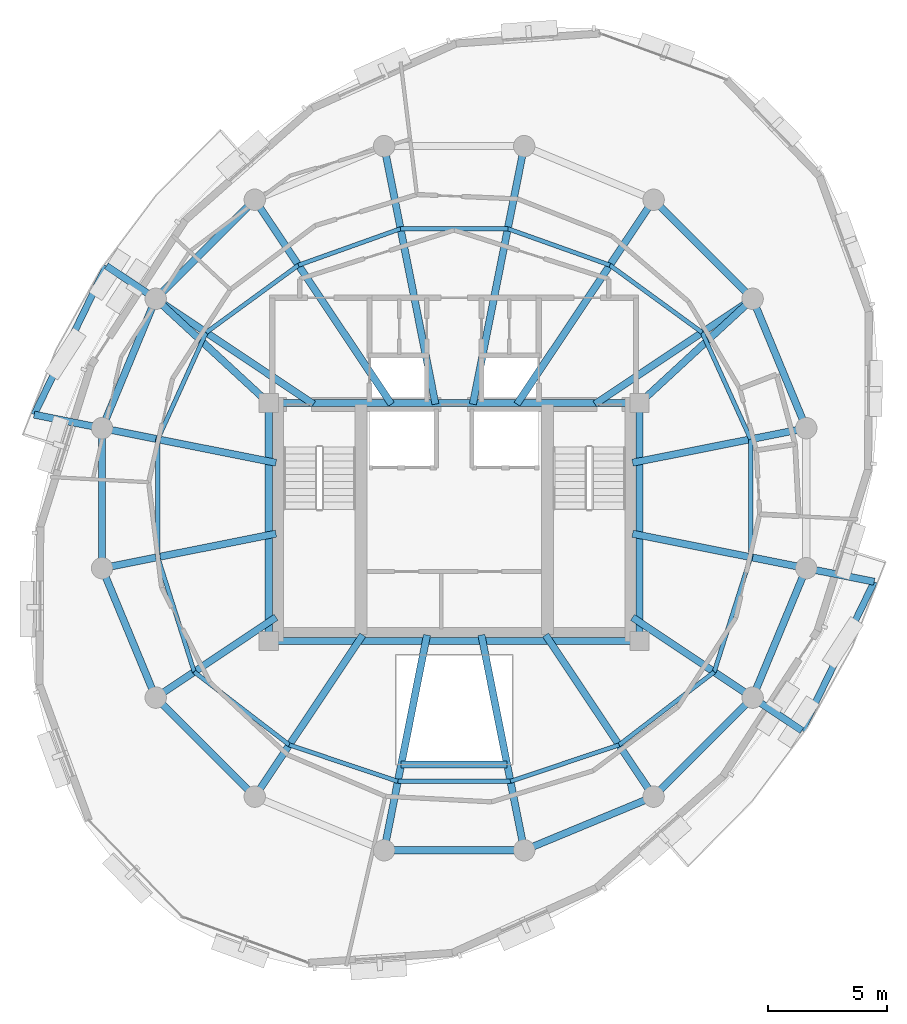
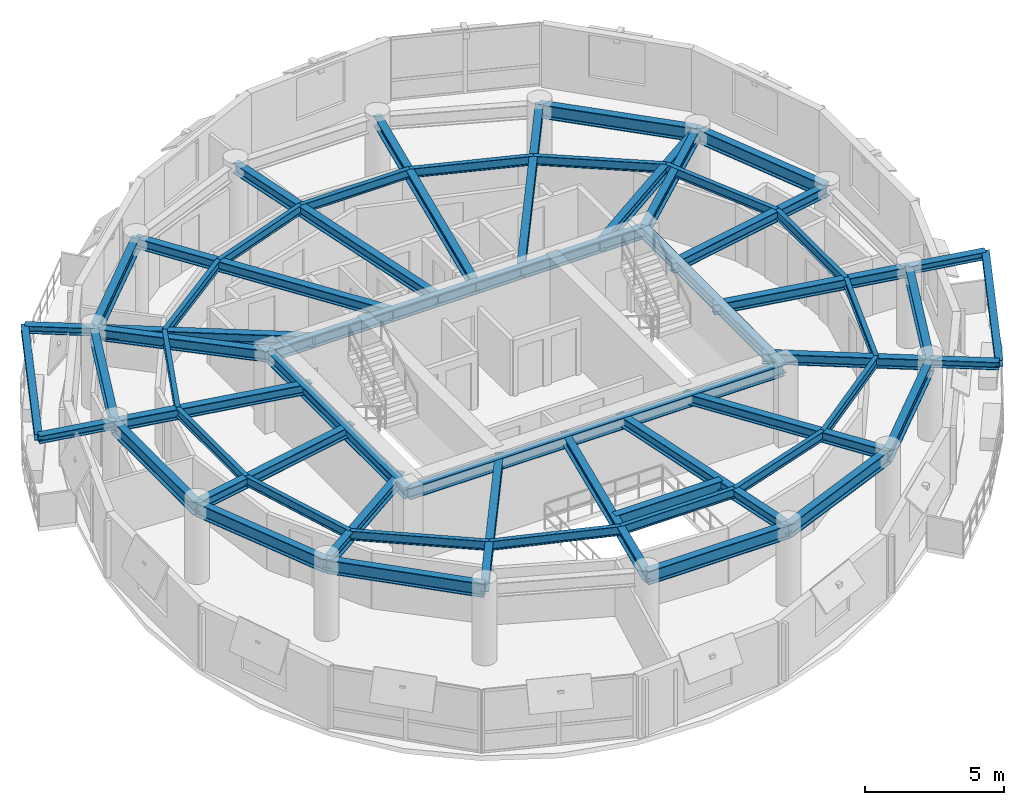
# One storey, part 3 of 11: 56 beams.
"""IFC4 building model written with IfcOpenShell, lengths in metres."""

from ifc_helpers import new_model, si_unit, direction, frame, origin, origin_2d, place, context, subcontext, project, spatial, i_section, extrude, material, material_profile, profile_set, type_object, element, save


model = new_model("IFC4")

# Units and contexts
model_context = context("Model", 3, precision=1e-05, world=origin(), true_north=direction((0.0, 1.0)))
body_context = subcontext(model_context, "Body", "Model", "MODEL_VIEW")
ifc_project = project(units=[si_unit("LENGTHUNIT", "METRE"), si_unit("AREAUNIT", "SQUARE_METRE"), si_unit("VOLUMEUNIT", "CUBIC_METRE"), si_unit("PLANEANGLEUNIT", "RADIAN"), si_unit("MASSUNIT", "GRAM", prefix="KILO"), si_unit("THERMODYNAMICTEMPERATUREUNIT", "KELVIN"), si_unit("POWERUNIT", "WATT")], contexts=[model_context])

# Site, building, storey
site_placement = place(None, origin())
site = spatial("IfcSite", under=ifc_project, at=site_placement, CompositionType="ELEMENT")
building_placement = place(site_placement, origin())
building = spatial("IfcBuilding", under=site, at=building_placement, Name="Ocrelia Relay Tower", CompositionType="ELEMENT")
storey_placement = place(building_placement, frame((0.0, 0.0, 266.39990234375)))
storey = spatial("IfcBuildingStorey", under=building, at=storey_placement, Name="L66", CompositionType="ELEMENT", Elevation=266.39990234375)

# Beams
ifc_material = material(Name="Steel S355", Category="steel")
ifc_material_profile_1 = material_profile(ifc_material, i_section(OverallWidth=0.280029296875, OverallDepth=0.27001953125, WebThickness=0.008056640625, FlangeThickness=0.012939453125, FilletRadius=0.02392578125, at=origin_2d()), Name="HEA 280")
ifc_profile_set_1 = profile_set([ifc_material_profile_1], Name="Steel S355")
beam_type_1 = type_object("IfcBeamType", Name="BM-HEA280", PredefinedType="BEAM", material=ifc_profile_set_1)
for number, where, z_axis, x_axis, name in (
    (1, (19.369873046875, 35.775634765625, 3.2451171875), (-0.43677177365, -0.8995723527, 0.0), (0.8995723527, -0.43677177365, 0.0), "L67 Balcony Edge Trimmer Beam B1"),
    (2, (48.630126953125, 16.224365234375, 3.2451171875), (0.43677177365, 0.8995723527, 0.0), (-0.8995723527, 0.43677177365, 0.0), "L67 Balcony Edge Trimmer Beam B2"),
):
    element("IfcBeam", number, at=place(storey_placement, frame(where, z_axis=z_axis, x_axis=x_axis)), inside=storey, type_object=beam_type_1, Name=name, PredefinedType="BEAM", context=body_context, shape_type="SweptSolid", body=[
        extrude(i_section(OverallWidth=0.280029296875, OverallDepth=0.27001953125, WebThickness=0.008056640625, FlangeThickness=0.012939453125, FilletRadius=0.02392578125, at=origin_2d()), origin(), (0.0, 0.0, 1.0), 6.959716796875),
    ])
ifc_material_profile_2 = material_profile(ifc_material, i_section(OverallWidth=0.300048828125, OverallDepth=0.330078125, WebThickness=0.009521484375, FlangeThickness=0.0166015625, FilletRadius=0.027099609375, at=origin_2d()), Name="HEA 340")
ifc_profile_set_2 = profile_set([ifc_material_profile_2], Name="Steel S355")
beam_type_2 = type_object("IfcBeamType", Name="BM-HEA340", PredefinedType="BEAM", material=ifc_profile_set_2)
beam_1_placement = place(storey_placement, frame((21.44482421875, 34.38916015625, 3.215087890625), z_axis=(-0.831462844472, 0.555580361661, 0.0), x_axis=(-0.555580361661, -0.831462844472, 0.0)))
element("IfcBeam", 3, at=beam_1_placement, inside=storey, type_object=beam_type_2, Name="L67 Balcony Cantilever Beam B1-1", PredefinedType="BEAM", context=body_context, shape_type="SweptSolid", body=[
    extrude(i_section(OverallWidth=0.300048828125, OverallDepth=0.330078125, WebThickness=0.009521484375, FlangeThickness=0.0166015625, FilletRadius=0.027099609375, at=origin_2d()), origin(), (0.0, 0.0, 1.0), 2.49560546875),
])
beam_2_placement = place(storey_placement, frame((19.190185546875, 28.94580078125, 3.215087890625), z_axis=(-0.980773398618, 0.195150046281, 0.0), x_axis=(-0.195150046281, -0.980773398618, 0.0)))
element("IfcBeam", 4, at=beam_2_placement, inside=storey, type_object=beam_type_2, Name="L67 Balcony Cantilever Beam B1-2", PredefinedType="BEAM", context=body_context, shape_type="SweptSolid", body=[
    extrude(i_section(OverallWidth=0.300048828125, OverallDepth=0.330078125, WebThickness=0.009521484375, FlangeThickness=0.0166015625, FilletRadius=0.027099609375, at=origin_2d()), origin(), (0.0, 0.0, 1.0), 2.916259765625),
])
beam_3_placement = place(storey_placement, frame((46.55517578125, 17.61083984375, 3.215087890625), z_axis=(0.831462844472, -0.555580361661, 0.0), x_axis=(0.555580361661, 0.831462844472, 0.0)))
element("IfcBeam", 5, at=beam_3_placement, inside=storey, type_object=beam_type_2, Name="L67 Balcony Cantilever Beam B2-1", PredefinedType="BEAM", context=body_context, shape_type="SweptSolid", body=[
    extrude(i_section(OverallWidth=0.300048828125, OverallDepth=0.330078125, WebThickness=0.009521484375, FlangeThickness=0.0166015625, FilletRadius=0.027099609375, at=origin_2d()), origin(), (0.0, 0.0, 1.0), 2.49560546875),
])
beam_4_placement = place(storey_placement, frame((48.809814453125, 23.05419921875, 3.215087890625), z_axis=(0.980773398618, -0.195150046281, 0.0), x_axis=(0.195150046281, 0.980773398618, 0.0)))
element("IfcBeam", 6, at=beam_4_placement, inside=storey, type_object=beam_type_2, Name="L67 Balcony Cantilever Beam B2-2", PredefinedType="BEAM", context=body_context, shape_type="SweptSolid", body=[
    extrude(i_section(OverallWidth=0.300048828125, OverallDepth=0.330078125, WebThickness=0.009521484375, FlangeThickness=0.0166015625, FilletRadius=0.027099609375, at=origin_2d()), origin(), (0.0, 0.0, 1.0), 2.916259765625),
])
ifc_material_profile_3 = material_profile(ifc_material, i_section(OverallWidth=0.300048828125, OverallDepth=0.449951171875, WebThickness=0.013916015625, FlangeThickness=0.02587890625, FilletRadius=0.027099609375, at=origin_2d()), Name="HEB 450")
ifc_profile_set_3 = profile_set([ifc_material_profile_3], Name="Steel S355")
beam_type_3 = type_object("IfcBeamType", Name="BM-HEB450", PredefinedType="BEAM", material=ifc_profile_set_3)
beam_5_placement = place(storey_placement, frame((48.809814453125, 28.94580078125, 3.155029296875), z_axis=(-0.980789400571, -0.195069607393, 0.0), x_axis=(0.195069607393, -0.980789400571, 0.0)))
element("IfcBeam", 7, at=beam_5_placement, inside=storey, type_object=beam_type_3, Name="L66 Radial Floor Girder R01", PredefinedType="BEAM", context=body_context, shape_type="SweptSolid", body=[
    extrude(i_section(OverallWidth=0.300048828125, OverallDepth=0.449951171875, WebThickness=0.013916015625, FlangeThickness=0.02587890625, FilletRadius=0.027099609375, at=origin_2d()), origin(), (0.0, 0.0, 1.0), 7.447998046875),
])
beam_6_placement = place(storey_placement, frame((46.55517578125, 34.38916015625, 3.155029296875), z_axis=(-0.83146627118, -0.555575233331, 0.0), x_axis=(0.555575233331, -0.83146627118, 0.0)))
element("IfcBeam", 8, at=beam_6_placement, inside=storey, type_object=beam_type_3, Name="L66 Radial Floor Girder R02", PredefinedType="BEAM", context=body_context, shape_type="SweptSolid", body=[
    extrude(i_section(OverallWidth=0.300048828125, OverallDepth=0.449951171875, WebThickness=0.013916015625, FlangeThickness=0.02587890625, FilletRadius=0.027099609375, at=origin_2d()), origin(), (0.0, 0.0, 1.0), 7.98095703125),
])
beam_7_placement = place(storey_placement, frame((42.38916015625, 38.55517578125, 3.155029296875), z_axis=(-0.555582296999, -0.831461551283, 0.0), x_axis=(0.831461551283, -0.555582296999, 0.0)))
element("IfcBeam", 9, at=beam_7_placement, inside=storey, type_object=beam_type_3, Name="L66 Radial Floor Girder R03", PredefinedType="BEAM", context=body_context, shape_type="SweptSolid", body=[
    extrude(i_section(OverallWidth=0.300048828125, OverallDepth=0.449951171875, WebThickness=0.013916015625, FlangeThickness=0.02587890625, FilletRadius=0.027099609375, at=origin_2d()), origin(), (0.0, 0.0, 1.0), 10.34326171875),
])
for number, where, z_axis, x_axis, name in (
    (10, (36.94580078125, 40.809814453125, 3.155029296875), (-0.195093658495, -0.98078461673, 0.0), (0.98078461673, -0.195093658495, 0.0), "L66 Radial Floor Girder R04"),
    (11, (31.05419921875, 40.809814453125, 3.155029296875), (0.195093658495, -0.98078461673, 0.0), (0.98078461673, 0.195093658495, 0.0), "L66 Radial Floor Girder R05"),
):
    element("IfcBeam", number, at=place(storey_placement, frame(where, z_axis=z_axis, x_axis=x_axis)), inside=storey, type_object=beam_type_3, Name=name, PredefinedType="BEAM", context=body_context, shape_type="SweptSolid", body=[
        extrude(i_section(OverallWidth=0.300048828125, OverallDepth=0.449951171875, WebThickness=0.013916015625, FlangeThickness=0.02587890625, FilletRadius=0.027099609375, at=origin_2d()), origin(), (0.0, 0.0, 1.0), 11.0673828125),
    ])
beam_8_placement = place(storey_placement, frame((25.61083984375, 38.55517578125, 3.155029296875), z_axis=(0.555582296999, -0.831461551283, 0.0), x_axis=(0.831461551283, 0.555582296999, 0.0)))
element("IfcBeam", 12, at=beam_8_placement, inside=storey, type_object=beam_type_3, Name="L66 Radial Floor Girder R06", PredefinedType="BEAM", context=body_context, shape_type="SweptSolid", body=[
    extrude(i_section(OverallWidth=0.300048828125, OverallDepth=0.449951171875, WebThickness=0.013916015625, FlangeThickness=0.02587890625, FilletRadius=0.027099609375, at=origin_2d()), origin(), (0.0, 0.0, 1.0), 10.34326171875),
])
beam_9_placement = place(storey_placement, frame((21.44482421875, 34.38916015625, 3.155029296875), z_axis=(0.83146627118, -0.555575233331, 0.0), x_axis=(0.555575233331, 0.83146627118, 0.0)))
element("IfcBeam", 13, at=beam_9_placement, inside=storey, type_object=beam_type_3, Name="L66 Radial Floor Girder R07", PredefinedType="BEAM", context=body_context, shape_type="SweptSolid", body=[
    extrude(i_section(OverallWidth=0.300048828125, OverallDepth=0.449951171875, WebThickness=0.013916015625, FlangeThickness=0.02587890625, FilletRadius=0.027099609375, at=origin_2d()), origin(), (0.0, 0.0, 1.0), 7.98095703125),
])
for number, where, z_axis, x_axis, name in (
    (14, (19.190185546875, 28.94580078125, 3.155029296875), (0.980789122594, -0.195071005024, 0.0), (0.195071005024, 0.980789122594, 0.0), "L66 Radial Floor Girder R08"),
    (15, (19.190185546875, 23.05419921875, 3.155029296875), (0.980789122594, 0.195071005024, 0.0), (-0.195071005024, 0.980789122594, 0.0), "L66 Radial Floor Girder R09"),
):
    element("IfcBeam", number, at=place(storey_placement, frame(where, z_axis=z_axis, x_axis=x_axis)), inside=storey, type_object=beam_type_3, Name=name, PredefinedType="BEAM", context=body_context, shape_type="SweptSolid", body=[
        extrude(i_section(OverallWidth=0.300048828125, OverallDepth=0.449951171875, WebThickness=0.013916015625, FlangeThickness=0.02587890625, FilletRadius=0.027099609375, at=origin_2d()), origin(), (0.0, 0.0, 1.0), 7.4580078125),
    ])
beam_10_placement = place(storey_placement, frame((21.44482421875, 17.61083984375, 3.155029296875), z_axis=(0.831463505153, 0.555579372906, 0.0), x_axis=(-0.555579372906, 0.831463505153, 0.0)))
element("IfcBeam", 16, at=beam_10_placement, inside=storey, type_object=beam_type_3, Name="L66 Radial Floor Girder R10", PredefinedType="BEAM", context=body_context, shape_type="SweptSolid", body=[
    extrude(i_section(OverallWidth=0.300048828125, OverallDepth=0.449951171875, WebThickness=0.013916015625, FlangeThickness=0.02587890625, FilletRadius=0.027099609375, at=origin_2d()), origin(), (0.0, 0.0, 1.0), 6.085693359375),
])
beam_11_placement = place(storey_placement, frame((25.61083984375, 13.44482421875, 3.155029296875), z_axis=(0.555560991962, 0.831475786906, 0.0), x_axis=(-0.831475786906, 0.555560991962, 0.0)))
element("IfcBeam", 17, at=beam_11_placement, inside=storey, type_object=beam_type_3, Name="L66 Radial Floor Girder R11", PredefinedType="BEAM", context=body_context, shape_type="SweptSolid", body=[
    extrude(i_section(OverallWidth=0.300048828125, OverallDepth=0.449951171875, WebThickness=0.013916015625, FlangeThickness=0.02587890625, FilletRadius=0.027099609375, at=origin_2d()), origin(), (0.0, 0.0, 1.0), 8.178466796875),
])
for number, where, z_axis, x_axis, name in (
    (18, (31.05419921875, 11.190185546875, 3.155029296875), (0.195078600472, 0.98078761189, 0.0), (-0.98078761189, 0.195078600472, 0.0), "L66 Radial Floor Girder R12"),
    (19, (36.94580078125, 11.190185546875, 3.155029296875), (-0.195078600472, 0.98078761189, 0.0), (-0.98078761189, -0.195078600472, 0.0), "L66 Radial Floor Girder R13"),
):
    element("IfcBeam", number, at=place(storey_placement, frame(where, z_axis=z_axis, x_axis=x_axis)), inside=storey, type_object=beam_type_3, Name=name, PredefinedType="BEAM", context=body_context, shape_type="SweptSolid", body=[
        extrude(i_section(OverallWidth=0.300048828125, OverallDepth=0.449951171875, WebThickness=0.013916015625, FlangeThickness=0.02587890625, FilletRadius=0.027099609375, at=origin_2d()), origin(), (0.0, 0.0, 1.0), 9.232421875),
    ])
beam_12_placement = place(storey_placement, frame((42.38916015625, 13.44482421875, 3.155029296875), z_axis=(-0.555560991962, 0.831475786906, 0.0), x_axis=(-0.831475786906, -0.555560991962, 0.0)))
element("IfcBeam", 20, at=beam_12_placement, inside=storey, type_object=beam_type_3, Name="L66 Radial Floor Girder R14", PredefinedType="BEAM", context=body_context, shape_type="SweptSolid", body=[
    extrude(i_section(OverallWidth=0.300048828125, OverallDepth=0.449951171875, WebThickness=0.013916015625, FlangeThickness=0.02587890625, FilletRadius=0.027099609375, at=origin_2d()), origin(), (0.0, 0.0, 1.0), 8.178466796875),
])
beam_13_placement = place(storey_placement, frame((46.55517578125, 17.61083984375, 3.155029296875), z_axis=(-0.831468559595, 0.555571808504, 0.0), x_axis=(-0.555571808504, -0.831468559595, 0.0)))
element("IfcBeam", 21, at=beam_13_placement, inside=storey, type_object=beam_type_3, Name="L66 Radial Floor Girder R15", PredefinedType="BEAM", context=body_context, shape_type="SweptSolid", body=[
    extrude(i_section(OverallWidth=0.300048828125, OverallDepth=0.449951171875, WebThickness=0.013916015625, FlangeThickness=0.02587890625, FilletRadius=0.027099609375, at=origin_2d()), origin(), (0.0, 0.0, 1.0), 6.073974609375),
])
beam_14_placement = place(storey_placement, frame((48.809814453125, 23.05419921875, 3.155029296875), z_axis=(-0.980789400571, 0.195069607393, 0.0), x_axis=(-0.195069607393, -0.980789400571, 0.0)))
element("IfcBeam", 22, at=beam_14_placement, inside=storey, type_object=beam_type_3, Name="L66 Radial Floor Girder R16", PredefinedType="BEAM", context=body_context, shape_type="SweptSolid", body=[
    extrude(i_section(OverallWidth=0.300048828125, OverallDepth=0.449951171875, WebThickness=0.013916015625, FlangeThickness=0.02587890625, FilletRadius=0.027099609375, at=origin_2d()), origin(), (0.0, 0.0, 1.0), 7.447998046875),
])
ifc_material_profile_4 = material_profile(ifc_material, i_section(OverallWidth=0.300048828125, OverallDepth=0.5, WebThickness=0.014404296875, FlangeThickness=0.028076171875, FilletRadius=0.027099609375, at=origin_2d()), Name="HEB 500")
ifc_profile_set_4 = profile_set([ifc_material_profile_4], Name="Steel S355")
beam_type_4 = type_object("IfcBeamType", Name="BM-HEB500", PredefinedType="BEAM", material=ifc_profile_set_4)
for number, where, z_axis, x_axis, name in (
    (23, (26.199951171875, 20.0, 3.130126953125), (1.0, 0.0, 0.0), (0.0, 1.0, 0.0), "L66 Core Pilaster Tie Beam S"),
    (24, (26.199951171875, 30.0, 3.130126953125), (1.0, 0.0, 0.0), (0.0, 1.0, 0.0), "L66 Core Pilaster Tie Beam N"),
):
    element("IfcBeam", number, at=place(storey_placement, frame(where, z_axis=z_axis, x_axis=x_axis)), inside=storey, type_object=beam_type_4, Name=name, PredefinedType="BEAM", context=body_context, shape_type="SweptSolid", body=[
        extrude(i_section(OverallWidth=0.300048828125, OverallDepth=0.5, WebThickness=0.014404296875, FlangeThickness=0.028076171875, FilletRadius=0.027099609375, at=origin_2d()), origin(), (0.0, 0.0, 1.0), 15.60009765625),
    ])
for number, where, z_axis, x_axis, name in (
    (25, (26.199951171875, 20.0, 3.130126953125), (0.0, 1.0, 0.0), (-1.0, 0.0, 0.0), "L66 Core Pilaster Tie Beam W"),
    (26, (41.800048828125, 20.0, 3.130126953125), (0.0, 1.0, 0.0), (-1.0, 0.0, 0.0), "L66 Core Pilaster Tie Beam E"),
):
    element("IfcBeam", number, at=place(storey_placement, frame(where, z_axis=z_axis, x_axis=x_axis)), inside=storey, type_object=beam_type_4, Name=name, PredefinedType="BEAM", context=body_context, shape_type="SweptSolid", body=[
        extrude(i_section(OverallWidth=0.300048828125, OverallDepth=0.5, WebThickness=0.014404296875, FlangeThickness=0.028076171875, FilletRadius=0.027099609375, at=origin_2d()), origin(), (0.0, 0.0, 1.0), 10.0),
    ])
for number, where, z_axis, x_axis, name in (
    (27, (46.55517578125, 34.38916015625, 3.130126953125), (-0.734817908666, -0.678264433023, 0.0), (0.678264433023, -0.734817908666, 0.0), "L66 Core Pilaster Frame Tie Beam PT02"),
    (28, (21.44482421875, 34.38916015625, 3.130126953125), (0.734817908666, -0.678264433023, 0.0), (0.678264433023, 0.734817908666, 0.0), "L66 Core Pilaster Frame Tie Beam PT07"),
):
    element("IfcBeam", number, at=place(storey_placement, frame(where, z_axis=z_axis, x_axis=x_axis)), inside=storey, type_object=beam_type_4, Name=name, PredefinedType="BEAM", context=body_context, shape_type="SweptSolid", body=[
        extrude(i_section(OverallWidth=0.300048828125, OverallDepth=0.5, WebThickness=0.014404296875, FlangeThickness=0.028076171875, FilletRadius=0.027099609375, at=origin_2d()), origin(), (0.0, 0.0, 1.0), 6.47119140625),
    ])
ifc_material_profile_5 = material_profile(ifc_material, i_section(OverallWidth=0.300048828125, OverallDepth=0.550048828125, WebThickness=0.014892578125, FlangeThickness=0.029052734375, FilletRadius=0.027099609375, at=origin_2d()), Name="HEB 550")
ifc_profile_set_5 = profile_set([ifc_material_profile_5], Name="Steel S355")
beam_type_5 = type_object("IfcBeamType", Name="BM-HEB550", PredefinedType="BEAM", material=ifc_profile_set_5)
beam_15_placement = place(storey_placement, frame((31.772216796875, 14.800048828125, 3.10498046875), z_axis=(1.0, 0.0, 0.0), x_axis=(0.0, 1.0, 0.0)))
element("IfcBeam", 29, at=beam_15_placement, inside=storey, type_object=beam_type_5, Name="L66 Atrium South Trimmer Beam", PredefinedType="BEAM", context=body_context, shape_type="SweptSolid", body=[
    extrude(i_section(OverallWidth=0.300048828125, OverallDepth=0.550048828125, WebThickness=0.014892578125, FlangeThickness=0.029052734375, FilletRadius=0.027099609375, at=origin_2d()), origin(), (0.0, 0.0, 1.0), 4.45556640625),
])
ifc_material_profile_6 = material_profile(ifc_material, i_section(OverallWidth=0.300048828125, OverallDepth=0.60009765625, WebThickness=0.015380859375, FlangeThickness=0.030029296875, FilletRadius=0.027099609375, at=origin_2d()), Name="HEB 600")
ifc_profile_set_6 = profile_set([ifc_material_profile_6], Name="Steel S355")
beam_type_6 = type_object("IfcBeamType", Name="BM-HEB600", PredefinedType="BEAM", material=ifc_profile_set_6)
beam_16_placement = place(storey_placement, frame((48.809814453125, 28.94580078125, 3.080078125), z_axis=(-0.382672624084, 0.923884009374, 0.0), x_axis=(-0.923884009374, -0.382672624084, 0.0)))
element("IfcBeam", 30, at=beam_16_placement, inside=storey, type_object=beam_type_6, Name="L66 Perimeter Spandrel Beam S01", PredefinedType="BEAM", context=body_context, shape_type="SweptSolid", body=[
    extrude(i_section(OverallWidth=0.300048828125, OverallDepth=0.60009765625, WebThickness=0.015380859375, FlangeThickness=0.030029296875, FilletRadius=0.027099609375, at=origin_2d()), origin(), (0.0, 0.0, 1.0), 5.891845703125),
])
for number, where, z_axis, x_axis, name in (
    (31, (46.55517578125, 34.38916015625, 3.080078125), (-0.707106781187, 0.707106781187, 0.0), (-0.707106781187, -0.707106781187, 0.0), "L66 Perimeter Spandrel Beam S02"),
    (32, (25.61083984375, 38.55517578125, 3.080078125), (-0.707106781187, -0.707106781187, 0.0), (0.707106781187, -0.707106781187, 0.0), "L66 Perimeter Spandrel Beam S06"),
):
    element("IfcBeam", number, at=place(storey_placement, frame(where, z_axis=z_axis, x_axis=x_axis)), inside=storey, type_object=beam_type_6, Name=name, PredefinedType="BEAM", context=body_context, shape_type="SweptSolid", body=[
        extrude(i_section(OverallWidth=0.300048828125, OverallDepth=0.60009765625, WebThickness=0.015380859375, FlangeThickness=0.030029296875, FilletRadius=0.027099609375, at=origin_2d()), origin(), (0.0, 0.0, 1.0), 5.8916015625),
    ])
beam_17_placement = place(storey_placement, frame((21.44482421875, 34.38916015625, 3.080078125), z_axis=(-0.382672624084, -0.923884009374, 0.0), x_axis=(0.923884009374, -0.382672624084, 0.0)))
element("IfcBeam", 33, at=beam_17_placement, inside=storey, type_object=beam_type_6, Name="L66 Perimeter Spandrel Beam S07", PredefinedType="BEAM", context=body_context, shape_type="SweptSolid", body=[
    extrude(i_section(OverallWidth=0.300048828125, OverallDepth=0.60009765625, WebThickness=0.015380859375, FlangeThickness=0.030029296875, FilletRadius=0.027099609375, at=origin_2d()), origin(), (0.0, 0.0, 1.0), 5.891845703125),
])
beam_18_placement = place(storey_placement, frame((19.190185546875, 28.94580078125, 3.080078125), z_axis=(0.0, -1.0, 0.0), x_axis=(1.0, 0.0, 0.0)))
element("IfcBeam", 34, at=beam_18_placement, inside=storey, type_object=beam_type_6, Name="L66 Perimeter Spandrel Beam S08", PredefinedType="BEAM", context=body_context, shape_type="SweptSolid", body=[
    extrude(i_section(OverallWidth=0.300048828125, OverallDepth=0.60009765625, WebThickness=0.015380859375, FlangeThickness=0.030029296875, FilletRadius=0.027099609375, at=origin_2d()), origin(), (0.0, 0.0, 1.0), 5.8916015625),
])
beam_19_placement = place(storey_placement, frame((19.190185546875, 23.05419921875, 3.080078125), z_axis=(0.382672624084, -0.923884009374, 0.0), x_axis=(0.923884009374, 0.382672624084, 0.0)))
element("IfcBeam", 35, at=beam_19_placement, inside=storey, type_object=beam_type_6, Name="L66 Perimeter Spandrel Beam S09", PredefinedType="BEAM", context=body_context, shape_type="SweptSolid", body=[
    extrude(i_section(OverallWidth=0.300048828125, OverallDepth=0.60009765625, WebThickness=0.015380859375, FlangeThickness=0.030029296875, FilletRadius=0.027099609375, at=origin_2d()), origin(), (0.0, 0.0, 1.0), 5.891845703125),
])
for number, where, z_axis, x_axis, name in (
    (36, (21.44482421875, 17.61083984375, 3.080078125), (0.707106781187, -0.707106781187, 0.0), (0.707106781187, 0.707106781187, 0.0), "L66 Perimeter Spandrel Beam S10"),
    (37, (31.05419921875, 11.190185546875, 3.080078125), (1.0, 0.0, 0.0), (0.0, 1.0, 0.0), "L66 Perimeter Spandrel Beam S12"),
):
    element("IfcBeam", number, at=place(storey_placement, frame(where, z_axis=z_axis, x_axis=x_axis)), inside=storey, type_object=beam_type_6, Name=name, PredefinedType="BEAM", context=body_context, shape_type="SweptSolid", body=[
        extrude(i_section(OverallWidth=0.300048828125, OverallDepth=0.60009765625, WebThickness=0.015380859375, FlangeThickness=0.030029296875, FilletRadius=0.027099609375, at=origin_2d()), origin(), (0.0, 0.0, 1.0), 5.8916015625),
    ])
beam_20_placement = place(storey_placement, frame((36.94580078125, 11.190185546875, 3.080078125), z_axis=(0.923884009374, 0.382672624084, 0.0), x_axis=(-0.382672624084, 0.923884009374, 0.0)))
element("IfcBeam", 38, at=beam_20_placement, inside=storey, type_object=beam_type_6, Name="L66 Perimeter Spandrel Beam S13", PredefinedType="BEAM", context=body_context, shape_type="SweptSolid", body=[
    extrude(i_section(OverallWidth=0.300048828125, OverallDepth=0.60009765625, WebThickness=0.015380859375, FlangeThickness=0.030029296875, FilletRadius=0.027099609375, at=origin_2d()), origin(), (0.0, 0.0, 1.0), 5.891845703125),
])
beam_21_placement = place(storey_placement, frame((42.38916015625, 13.44482421875, 3.080078125), z_axis=(0.707106781187, 0.707106781187, 0.0), x_axis=(-0.707106781187, 0.707106781187, 0.0)))
element("IfcBeam", 39, at=beam_21_placement, inside=storey, type_object=beam_type_6, Name="L66 Perimeter Spandrel Beam S14", PredefinedType="BEAM", context=body_context, shape_type="SweptSolid", body=[
    extrude(i_section(OverallWidth=0.300048828125, OverallDepth=0.60009765625, WebThickness=0.015380859375, FlangeThickness=0.030029296875, FilletRadius=0.027099609375, at=origin_2d()), origin(), (0.0, 0.0, 1.0), 5.8916015625),
])
beam_22_placement = place(storey_placement, frame((46.55517578125, 17.61083984375, 3.080078125), z_axis=(0.382672624084, 0.923884009374, 0.0), x_axis=(-0.923884009374, 0.382672624084, 0.0)))
element("IfcBeam", 40, at=beam_22_placement, inside=storey, type_object=beam_type_6, Name="L66 Perimeter Spandrel Beam S15", PredefinedType="BEAM", context=body_context, shape_type="SweptSolid", body=[
    extrude(i_section(OverallWidth=0.300048828125, OverallDepth=0.60009765625, WebThickness=0.015380859375, FlangeThickness=0.030029296875, FilletRadius=0.027099609375, at=origin_2d()), origin(), (0.0, 0.0, 1.0), 5.891845703125),
])
ifc_material_profile_7 = material_profile(ifc_material, i_section(OverallWidth=0.179931640625, OverallDepth=0.39990234375, WebThickness=0.008544921875, FlangeThickness=0.013427734375, FilletRadius=0.02099609375, at=origin_2d()), Name="IPE 400")
ifc_profile_set_7 = profile_set([ifc_material_profile_7], Name="Steel S355")
beam_type_7 = type_object("IfcBeamType", Name="BM-IPE400", PredefinedType="JOIST", material=ifc_profile_set_7)
beam_23_placement = place(storey_placement, frame((46.472412109375, 28.48095703125, 3.18017578125), z_axis=(-0.413836514443, 0.91035121756, 0.0), x_axis=(-0.91035121756, -0.413836514443, 0.0)))
element("IfcBeam", 41, at=beam_23_placement, inside=storey, type_object=beam_type_7, Name="L66 Secondary Floor Joist J01", PredefinedType="JOIST", context=body_context, shape_type="SweptSolid", body=[
    extrude(i_section(OverallWidth=0.179931640625, OverallDepth=0.39990234375, WebThickness=0.008544921875, FlangeThickness=0.013427734375, FilletRadius=0.02099609375, at=origin_2d()), origin(), (0.0, 0.0, 1.0), 4.931396484375),
])
beam_24_placement = place(storey_placement, frame((44.431640625, 32.97021484375, 3.18017578125), z_axis=(-0.80774844416, 0.58952731146, 0.0), x_axis=(-0.58952731146, -0.80774844416, 0.0)))
element("IfcBeam", 42, at=beam_24_placement, inside=storey, type_object=beam_type_7, Name="L66 Secondary Floor Joist J02", PredefinedType="JOIST", context=body_context, shape_type="SweptSolid", body=[
    extrude(i_section(OverallWidth=0.179931640625, OverallDepth=0.39990234375, WebThickness=0.008544921875, FlangeThickness=0.013427734375, FilletRadius=0.02099609375, at=origin_2d()), origin(), (0.0, 0.0, 1.0), 4.80517578125),
])
beam_25_placement = place(storey_placement, frame((40.55029296875, 35.802978515625, 3.18017578125), z_axis=(-0.94180245035, 0.336166840298, 0.0), x_axis=(-0.336166840298, -0.94180245035, 0.0)))
element("IfcBeam", 43, at=beam_25_placement, inside=storey, type_object=beam_type_7, Name="L66 Secondary Floor Joist J03", PredefinedType="JOIST", context=body_context, shape_type="SweptSolid", body=[
    extrude(i_section(OverallWidth=0.179931640625, OverallDepth=0.39990234375, WebThickness=0.008544921875, FlangeThickness=0.013427734375, FilletRadius=0.02099609375, at=origin_2d()), origin(), (0.0, 0.0, 1.0), 4.560791015625),
])
beam_26_placement = place(storey_placement, frame((36.2548828125, 37.336181640625, 3.18017578125), z_axis=(-1.0, 0.0, 0.0), x_axis=(0.0, -1.0, 0.0)))
element("IfcBeam", 44, at=beam_26_placement, inside=storey, type_object=beam_type_7, Name="L66 Secondary Floor Joist J04", PredefinedType="JOIST", context=body_context, shape_type="SweptSolid", body=[
    extrude(i_section(OverallWidth=0.179931640625, OverallDepth=0.39990234375, WebThickness=0.008544921875, FlangeThickness=0.013427734375, FilletRadius=0.02099609375, at=origin_2d()), origin(), (0.0, 0.0, 1.0), 4.509765625),
])
beam_27_placement = place(storey_placement, frame((31.7451171875, 37.336181640625, 3.18017578125), z_axis=(-0.94180245035, -0.336166840298, 0.0), x_axis=(0.336166840298, -0.94180245035, 0.0)))
element("IfcBeam", 45, at=beam_27_placement, inside=storey, type_object=beam_type_7, Name="L66 Secondary Floor Joist J05", PredefinedType="JOIST", context=body_context, shape_type="SweptSolid", body=[
    extrude(i_section(OverallWidth=0.179931640625, OverallDepth=0.39990234375, WebThickness=0.008544921875, FlangeThickness=0.013427734375, FilletRadius=0.02099609375, at=origin_2d()), origin(), (0.0, 0.0, 1.0), 4.560791015625),
])
beam_28_placement = place(storey_placement, frame((27.44970703125, 35.802978515625, 3.18017578125), z_axis=(-0.80774844416, -0.58952731146, 0.0), x_axis=(0.58952731146, -0.80774844416, 0.0)))
element("IfcBeam", 46, at=beam_28_placement, inside=storey, type_object=beam_type_7, Name="L66 Secondary Floor Joist J06", PredefinedType="JOIST", context=body_context, shape_type="SweptSolid", body=[
    extrude(i_section(OverallWidth=0.179931640625, OverallDepth=0.39990234375, WebThickness=0.008544921875, FlangeThickness=0.013427734375, FilletRadius=0.02099609375, at=origin_2d()), origin(), (0.0, 0.0, 1.0), 4.80517578125),
])
beam_29_placement = place(storey_placement, frame((23.568359375, 32.97021484375, 3.18017578125), z_axis=(-0.413205957462, -0.910637599003, 0.0), x_axis=(0.910637599003, -0.413205957462, 0.0)))
element("IfcBeam", 47, at=beam_29_placement, inside=storey, type_object=beam_type_7, Name="L66 Secondary Floor Joist J07", PredefinedType="JOIST", context=body_context, shape_type="SweptSolid", body=[
    extrude(i_section(OverallWidth=0.179931640625, OverallDepth=0.39990234375, WebThickness=0.008544921875, FlangeThickness=0.013427734375, FilletRadius=0.02099609375, at=origin_2d()), origin(), (0.0, 0.0, 1.0), 4.9306640625),
])
beam_30_placement = place(storey_placement, frame((21.531005859375, 28.480224609375, 3.18017578125), z_axis=(0.0, -1.0, 0.0), x_axis=(1.0, 0.0, 0.0)))
element("IfcBeam", 48, at=beam_30_placement, inside=storey, type_object=beam_type_7, Name="L66 Secondary Floor Joist J08", PredefinedType="JOIST", context=body_context, shape_type="SweptSolid", body=[
    extrude(i_section(OverallWidth=0.179931640625, OverallDepth=0.39990234375, WebThickness=0.008544921875, FlangeThickness=0.013427734375, FilletRadius=0.02099609375, at=origin_2d()), origin(), (0.0, 0.0, 1.0), 4.96044921875),
])
beam_31_placement = place(storey_placement, frame((21.531005859375, 23.519775390625, 3.18017578125), z_axis=(0.302732054046, -0.953075707094, 0.0), x_axis=(0.953075707094, 0.302732054046, 0.0)))
element("IfcBeam", 49, at=beam_31_placement, inside=storey, type_object=beam_type_7, Name="L66 Secondary Floor Joist J09", PredefinedType="JOIST", context=body_context, shape_type="SweptSolid", body=[
    extrude(i_section(OverallWidth=0.179931640625, OverallDepth=0.39990234375, WebThickness=0.008544921875, FlangeThickness=0.013427734375, FilletRadius=0.02099609375, at=origin_2d()), origin(), (0.0, 0.0, 1.0), 5.064453125),
])
beam_32_placement = place(storey_placement, frame((23.064208984375, 18.69287109375, 3.18017578125), z_axis=(0.793147291367, -0.60902986314, 0.0), x_axis=(0.60902986314, 0.793147291367, 0.0)))
element("IfcBeam", 50, at=beam_32_placement, inside=storey, type_object=beam_type_7, Name="L66 Secondary Floor Joist J10", PredefinedType="JOIST", context=body_context, shape_type="SweptSolid", body=[
    extrude(i_section(OverallWidth=0.179931640625, OverallDepth=0.39990234375, WebThickness=0.008544921875, FlangeThickness=0.013427734375, FilletRadius=0.02099609375, at=origin_2d()), origin(), (0.0, 0.0, 1.0), 5.044189453125),
])
beam_33_placement = place(storey_placement, frame((27.06494140625, 15.620849609375, 3.18017578125), z_axis=(0.947976335242, -0.318340804519, 0.0), x_axis=(0.318340804519, 0.947976335242, 0.0)))
element("IfcBeam", 51, at=beam_33_placement, inside=storey, type_object=beam_type_7, Name="L66 Secondary Floor Joist J11", PredefinedType="JOIST", context=body_context, shape_type="SweptSolid", body=[
    extrude(i_section(OverallWidth=0.179931640625, OverallDepth=0.39990234375, WebThickness=0.008544921875, FlangeThickness=0.013427734375, FilletRadius=0.02099609375, at=origin_2d()), origin(), (0.0, 0.0, 1.0), 4.816162109375),
])
beam_34_placement = place(storey_placement, frame((31.630615234375, 14.087646484375, 3.18017578125), z_axis=(1.0, 0.0, 0.0), x_axis=(0.0, 1.0, 0.0)))
element("IfcBeam", 52, at=beam_34_placement, inside=storey, type_object=beam_type_7, Name="L66 Secondary Floor Joist J12", PredefinedType="JOIST", context=body_context, shape_type="SweptSolid", body=[
    extrude(i_section(OverallWidth=0.179931640625, OverallDepth=0.39990234375, WebThickness=0.008544921875, FlangeThickness=0.013427734375, FilletRadius=0.02099609375, at=origin_2d()), origin(), (0.0, 0.0, 1.0), 4.73876953125),
])
beam_35_placement = place(storey_placement, frame((36.369384765625, 14.087646484375, 3.18017578125), z_axis=(0.947976335242, 0.318340804519, 0.0), x_axis=(-0.318340804519, 0.947976335242, 0.0)))
element("IfcBeam", 53, at=beam_35_placement, inside=storey, type_object=beam_type_7, Name="L66 Secondary Floor Joist J13", PredefinedType="JOIST", context=body_context, shape_type="SweptSolid", body=[
    extrude(i_section(OverallWidth=0.179931640625, OverallDepth=0.39990234375, WebThickness=0.008544921875, FlangeThickness=0.013427734375, FilletRadius=0.02099609375, at=origin_2d()), origin(), (0.0, 0.0, 1.0), 4.816162109375),
])
beam_36_placement = place(storey_placement, frame((40.93505859375, 15.620849609375, 3.18017578125), z_axis=(0.793608697717, 0.608428496134, 0.0), x_axis=(-0.608428496134, 0.793608697717, 0.0)))
element("IfcBeam", 54, at=beam_36_placement, inside=storey, type_object=beam_type_7, Name="L66 Secondary Floor Joist J14", PredefinedType="JOIST", context=body_context, shape_type="SweptSolid", body=[
    extrude(i_section(OverallWidth=0.179931640625, OverallDepth=0.39990234375, WebThickness=0.008544921875, FlangeThickness=0.013427734375, FilletRadius=0.02099609375, at=origin_2d()), origin(), (0.0, 0.0, 1.0), 5.04541015625),
])
beam_37_placement = place(storey_placement, frame((44.939208984375, 18.690673828125, 3.18017578125), z_axis=(0.302648624063, 0.953102203519, 0.0), x_axis=(-0.953102203519, 0.302648624063, 0.0)))
element("IfcBeam", 55, at=beam_37_placement, inside=storey, type_object=beam_type_7, Name="L66 Secondary Floor Joist J15", PredefinedType="JOIST", context=body_context, shape_type="SweptSolid", body=[
    extrude(i_section(OverallWidth=0.179931640625, OverallDepth=0.39990234375, WebThickness=0.008544921875, FlangeThickness=0.013427734375, FilletRadius=0.02099609375, at=origin_2d()), origin(), (0.0, 0.0, 1.0), 5.06591796875),
])
beam_38_placement = place(storey_placement, frame((46.472412109375, 23.51904296875, 3.18017578125), z_axis=(0.0, 1.0, 0.0), x_axis=(-1.0, 0.0, 0.0)))
element("IfcBeam", 56, at=beam_38_placement, inside=storey, type_object=beam_type_7, Name="L66 Secondary Floor Joist J16", PredefinedType="JOIST", context=body_context, shape_type="SweptSolid", body=[
    extrude(i_section(OverallWidth=0.179931640625, OverallDepth=0.39990234375, WebThickness=0.008544921875, FlangeThickness=0.013427734375, FilletRadius=0.02099609375, at=origin_2d()), origin(), (0.0, 0.0, 1.0), 4.9619140625),
])

save(model, "model.ifc")
